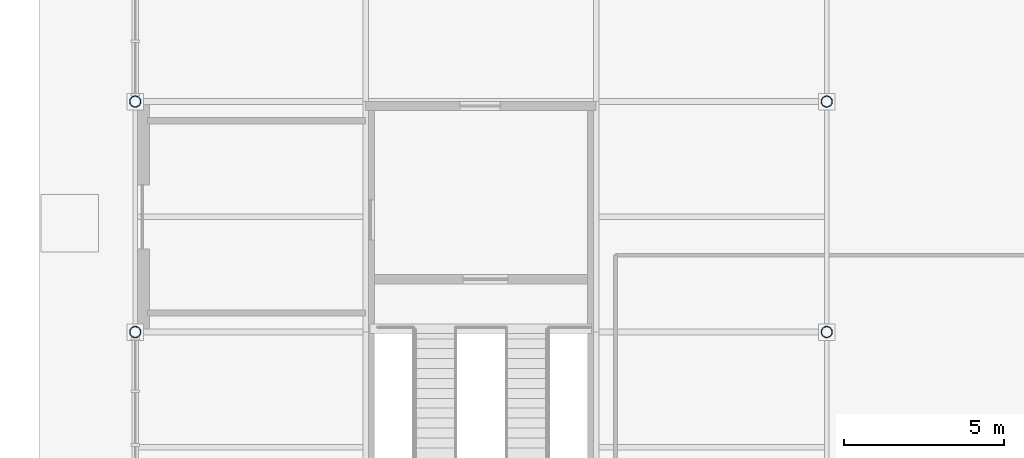
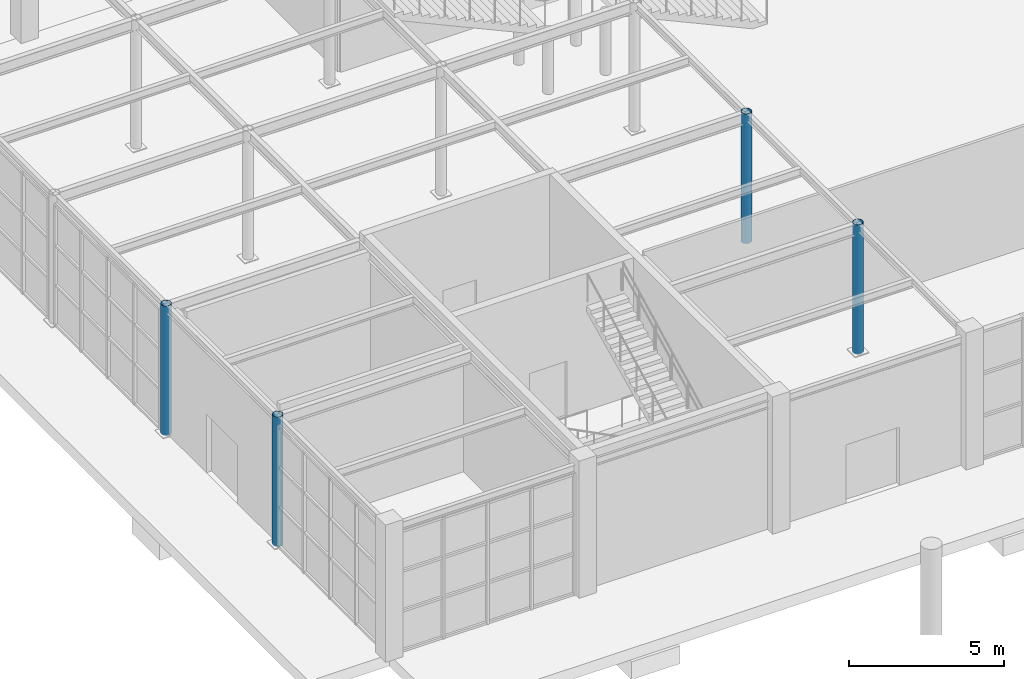
# One storey, part 5 of 75: 4 columns.
"""IFC4 building model written with IfcOpenShell, lengths in metres."""

from ifc_helpers import new_model, si_unit, direction, frame, origin, origin_2d, place, context, subcontext, project, spatial, hollow_circle, extrude, material, material_profile, profile_set, type_object, element, save


model = new_model("IFC4")

# Units and contexts
model_context = context("Model", 3, precision=1e-05, world=origin(), true_north=direction((0.0, 1.0)))
body_context = subcontext(model_context, "Body", "Model", "MODEL_VIEW")
ifc_project = project(units=[si_unit("LENGTHUNIT", "METRE"), si_unit("AREAUNIT", "SQUARE_METRE"), si_unit("VOLUMEUNIT", "CUBIC_METRE"), si_unit("PLANEANGLEUNIT", "RADIAN"), si_unit("MASSUNIT", "GRAM", prefix="KILO")], contexts=[model_context])

# Site, building, storey
site_placement = place(None, origin())
site = spatial("IfcSite", under=ifc_project, at=site_placement, CompositionType="ELEMENT")
building_placement = place(site_placement, origin())
building = spatial("IfcBuilding", under=site, at=building_placement, Name="Leyfeld Transit Interchange", CompositionType="ELEMENT")
storey_placement = place(building_placement, origin())
storey = spatial("IfcBuildingStorey", under=building, at=storey_placement, Name="L00", CompositionType="ELEMENT", Elevation=0.0)

# Columns
ifc_material = material(Name="Steel S355J2", Category="steel")
ifc_material_profile = material_profile(ifc_material, hollow_circle(Radius=0.177734375, WallThickness=0.01611328125, at=origin_2d()), Name="CHS 355.6x16")
ifc_profile_set = profile_set([ifc_material_profile], Name="Steel S355J2")
column_type = type_object("IfcColumnType", Name="COL-STL-CHS355", PredefinedType="COLUMN", material=ifc_profile_set)
for number, where, z_axis, x_axis, name in (
    (1, (0.0, 21.60009765625, 0.0), (0.0, 0.0, 1.0), (1.0, 0.0, 0.0), "Column COL-L00-0000_0216"),
    (2, (0.0, 28.800048828125, 0.0), (0.0, 0.0, 1.0), (1.0, 0.0, 0.0), "Column COL-L00-0000_0288"),
    (3, (21.60009765625, 21.60009765625, 0.0), (0.0, 0.0, 1.0), (1.0, 0.0, 0.0), "Column COL-L00-0216_0216"),
    (4, (21.60009765625, 28.800048828125, 0.0), (0.0, 0.0, 1.0), (1.0, 0.0, 0.0), "Column COL-L00-0216_0288"),
):
    element("IfcColumn", number, at=place(storey_placement, frame(where, z_axis=z_axis, x_axis=x_axis)), inside=storey, type_object=column_type, Name=name, PredefinedType="COLUMN", context=body_context, shape_type="SweptSolid", body=[
        extrude(hollow_circle(Radius=0.177734375, WallThickness=0.01611328125, at=origin_2d()), origin(), (0.0, 0.0, 1.0), 5.10009765625),
    ])

save(model, "model.ifc")
